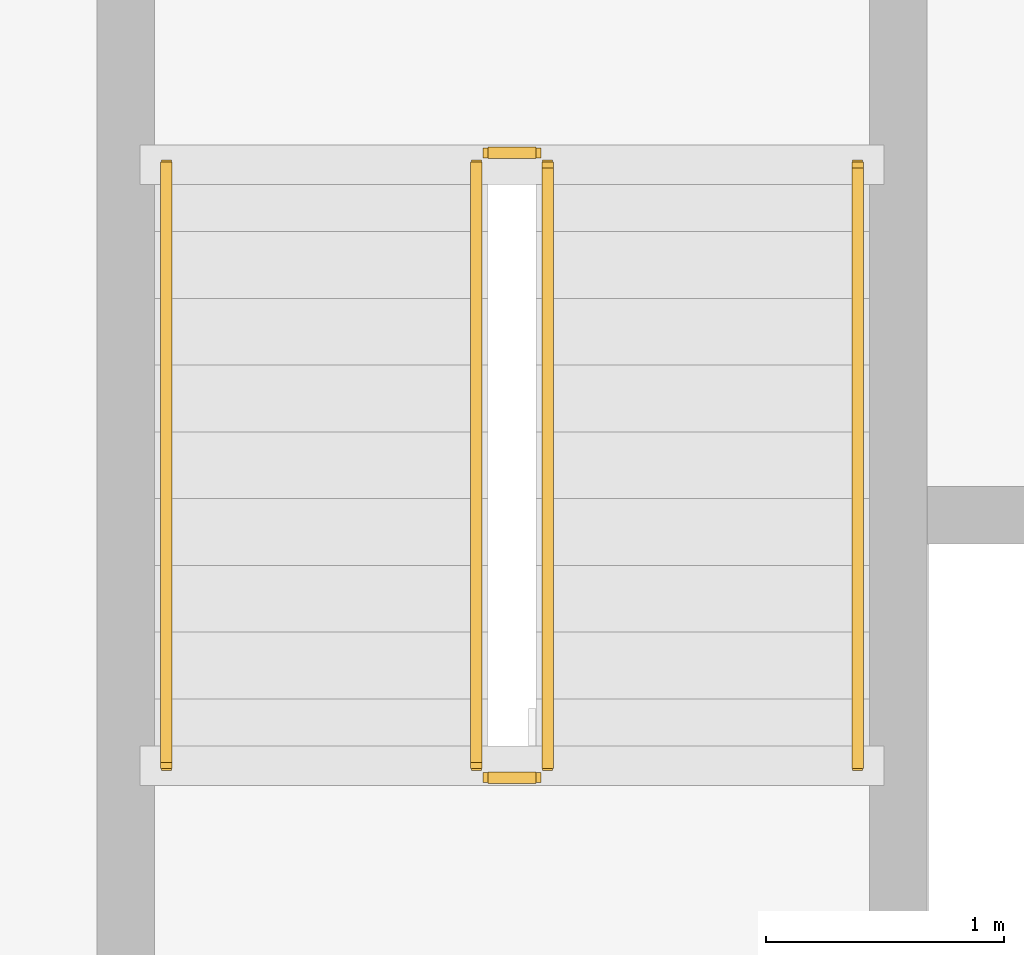
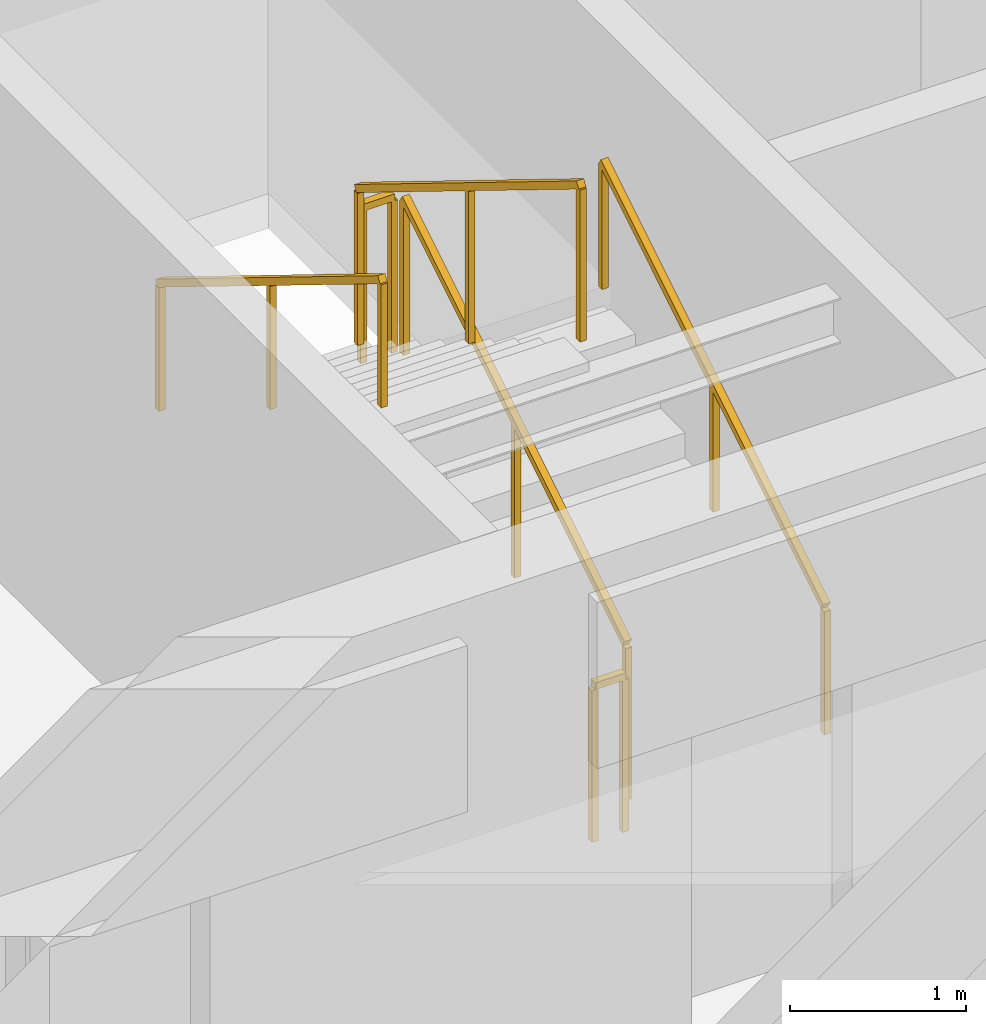
# One storey, part 11 of 13: 6 railings.
"""IFC4 building model written with IfcOpenShell, lengths in metres."""

from ifc_helpers import new_model, si_unit, direction, frame, origin, origin_2d, place, context, subcontext, project, spatial, rectangle, extrude, material, type_object, element, save


model = new_model("IFC4")

# Units and contexts
model_context = context("Model", 3, precision=1e-05, world=origin(), true_north=direction((0.0, 1.0)))
body_context = subcontext(model_context, "Body", "Model", "MODEL_VIEW")
ifc_project = project(units=[si_unit("LENGTHUNIT", "METRE"), si_unit("AREAUNIT", "SQUARE_METRE"), si_unit("VOLUMEUNIT", "CUBIC_METRE"), si_unit("PLANEANGLEUNIT", "RADIAN"), si_unit("MASSUNIT", "GRAM", prefix="KILO")], contexts=[model_context])

# Site, building, storey
site_placement = place(None, origin())
site = spatial("IfcSite", under=ifc_project, at=site_placement, CompositionType="ELEMENT")
building_placement = place(site_placement, origin())
building = spatial("IfcBuilding", under=site, at=building_placement, Name="Haldorwick Loom Tower", CompositionType="ELEMENT")
storey_placement = place(building_placement, frame((0.0, 0.0, 124.25)))
storey = spatial("IfcBuildingStorey", under=building, at=storey_placement, Name="L33", CompositionType="ELEMENT", Elevation=124.25)

# Railings
ifc_material = material(Name="Steel CSA G40.21 350W", Category="steel")
railing_type_1 = type_object("IfcRailingType", Name="ARC-RLG-GUARD112", PredefinedType="GUARDRAIL", material=ifc_material)
railing_1_placement = place(storey_placement, frame((31.89990234375, 28.39990234375, 0.172607421875)))
element("IfcRailing", 1, at=railing_1_placement, inside=storey, type_object=railing_type_1, Name="L33 ST-03 stair guard 1", PredefinedType="GUARDRAIL", context=body_context, shape_type="SweptSolid", body=[
    extrude(rectangle(XDim=0.048095703125, YDim=0.048095703125, at=origin_2d()), frame((0.0, 0.0, 1.076171875), z_axis=(0.0, 0.851400495292, 0.524516154772), x_axis=(-1.0, 0.0, 0.0)), (0.0, 0.0, 1.0), 2.9599609375),
    extrude(rectangle(XDim=0.0419921875, YDim=0.0419921875, at=origin_2d()), origin(), (0.0, 0.0, 1.0), 1.052001953125),
    extrude(rectangle(XDim=0.0419921875, YDim=0.0419921875, at=origin_2d()), frame((0.0, 1.260009765625, 0.7763671875)), (0.0, 0.0, 1.0), 1.052001953125),
    extrude(rectangle(XDim=0.0419921875, YDim=0.0419921875, at=origin_2d()), frame((0.0, 2.52001953125, 1.552490234375)), (0.0, 0.0, 1.0), 1.052001953125),
])
railing_2_placement = place(storey_placement, frame((31.85009765625, 30.969970703125, 1.72509765625)))
element("IfcRailing", 2, at=railing_2_placement, inside=storey, type_object=railing_type_1, Name="L33 ST-03 stair guard 2", PredefinedType="GUARDRAIL", context=body_context, shape_type="SweptSolid", body=[
    extrude(rectangle(XDim=0.048095703125, YDim=0.048095703125, at=origin_2d()), frame((0.0, 0.0, 1.076171875), z_axis=(-1.0, 0.0, 0.0), x_axis=(0.0, -1.0, 0.0)), (0.0, 0.0, 1.0), 0.2001953125),
    extrude(rectangle(XDim=0.0419921875, YDim=0.0419921875, at=origin_2d()), origin(), (0.0, 0.0, 1.0), 1.052001953125),
    extrude(rectangle(XDim=0.0419921875, YDim=0.0419921875, at=origin_2d()), frame((-0.2001953125, 0.0, 0.0)), (0.0, 0.0, 1.0), 1.052001953125),
])
railing_3_placement = place(storey_placement, frame((31.60009765625, 30.919921875, 1.8974609375)))
element("IfcRailing", 3, at=railing_3_placement, inside=storey, type_object=railing_type_1, Name="L33 ST-03 stair guard 3", PredefinedType="GUARDRAIL", context=body_context, shape_type="SweptSolid", body=[
    extrude(rectangle(XDim=0.048095703125, YDim=0.048095703125, at=origin_2d()), frame((0.0, 0.0, 1.076171875), z_axis=(0.0, -0.851400495292, 0.524516154772), x_axis=(1.0, 0.0, 0.0)), (0.0, 0.0, 1.0), 2.9599609375),
    extrude(rectangle(XDim=0.0419921875, YDim=0.0419921875, at=origin_2d()), origin(), (0.0, 0.0, 1.0), 1.052001953125),
    extrude(rectangle(XDim=0.0419921875, YDim=0.0419921875, at=origin_2d()), frame((0.0, -1.260009765625, 0.7763671875)), (0.0, 0.0, 1.0), 1.052001953125),
    extrude(rectangle(XDim=0.0419921875, YDim=0.0419921875, at=origin_2d()), frame((0.0, -2.52001953125, 1.552490234375)), (0.0, 0.0, 1.0), 1.052001953125),
])
railing_4_placement = place(storey_placement, frame((31.85009765625, 28.35009765625, 0.0)))
element("IfcRailing", 4, at=railing_4_placement, inside=storey, type_object=railing_type_1, Name="L33 ST-03 stair guard 4", PredefinedType="GUARDRAIL", context=body_context, shape_type="SweptSolid", body=[
    extrude(rectangle(XDim=0.048095703125, YDim=0.048095703125, at=origin_2d()), frame((0.0, 0.0, 1.076171875), z_axis=(-1.0, 0.0, 0.0), x_axis=(0.0, -1.0, 0.0)), (0.0, 0.0, 1.0), 0.2001953125),
    extrude(rectangle(XDim=0.0419921875, YDim=0.0419921875, at=origin_2d()), origin(), (0.0, 0.0, 1.0), 1.052001953125),
    extrude(rectangle(XDim=0.0419921875, YDim=0.0419921875, at=origin_2d()), frame((-0.2001953125, 0.0, 0.0)), (0.0, 0.0, 1.0), 1.052001953125),
])
railing_type_2 = type_object("IfcRailingType", Name="ARC-RLG-HAND092", PredefinedType="HANDRAIL", material=ifc_material)
railing_5_placement = place(storey_placement, frame((33.199951171875, 28.39990234375, 0.172607421875)))
element("IfcRailing", 5, at=railing_5_placement, inside=storey, type_object=railing_type_2, Name="L33 ST-03 stair handrail 1", PredefinedType="HANDRAIL", context=body_context, shape_type="SweptSolid", body=[
    extrude(rectangle(XDim=0.048095703125, YDim=0.048095703125, at=origin_2d()), frame((0.0, 0.0, 0.8759765625), z_axis=(0.0, 0.851400495292, 0.524516154772), x_axis=(-1.0, 0.0, 0.0)), (0.0, 0.0, 1.0), 2.9599609375),
    extrude(rectangle(XDim=0.0419921875, YDim=0.0419921875, at=origin_2d()), origin(), (0.0, 0.0, 1.0), 0.851806640625),
    extrude(rectangle(XDim=0.0419921875, YDim=0.0419921875, at=origin_2d()), frame((0.0, 1.260009765625, 0.7763671875)), (0.0, 0.0, 1.0), 0.851806640625),
    extrude(rectangle(XDim=0.0419921875, YDim=0.0419921875, at=origin_2d()), frame((0.0, 2.52001953125, 1.552490234375)), (0.0, 0.0, 1.0), 0.851806640625),
])
railing_6_placement = place(storey_placement, frame((30.300048828125, 30.919921875, 1.8974609375)))
element("IfcRailing", 6, at=railing_6_placement, inside=storey, type_object=railing_type_2, Name="L33 ST-03 stair handrail 2", PredefinedType="HANDRAIL", context=body_context, shape_type="SweptSolid", body=[
    extrude(rectangle(XDim=0.048095703125, YDim=0.048095703125, at=origin_2d()), frame((0.0, 0.0, 0.8759765625), z_axis=(0.0, -0.851400495292, 0.524516154772), x_axis=(1.0, 0.0, 0.0)), (0.0, 0.0, 1.0), 2.9599609375),
    extrude(rectangle(XDim=0.0419921875, YDim=0.0419921875, at=origin_2d()), origin(), (0.0, 0.0, 1.0), 0.851806640625),
    extrude(rectangle(XDim=0.0419921875, YDim=0.0419921875, at=origin_2d()), frame((0.0, -1.260009765625, 0.7763671875)), (0.0, 0.0, 1.0), 0.851806640625),
    extrude(rectangle(XDim=0.0419921875, YDim=0.0419921875, at=origin_2d()), frame((0.0, -2.52001953125, 1.552490234375)), (0.0, 0.0, 1.0), 0.851806640625),
])

save(model, "model.ifc")
